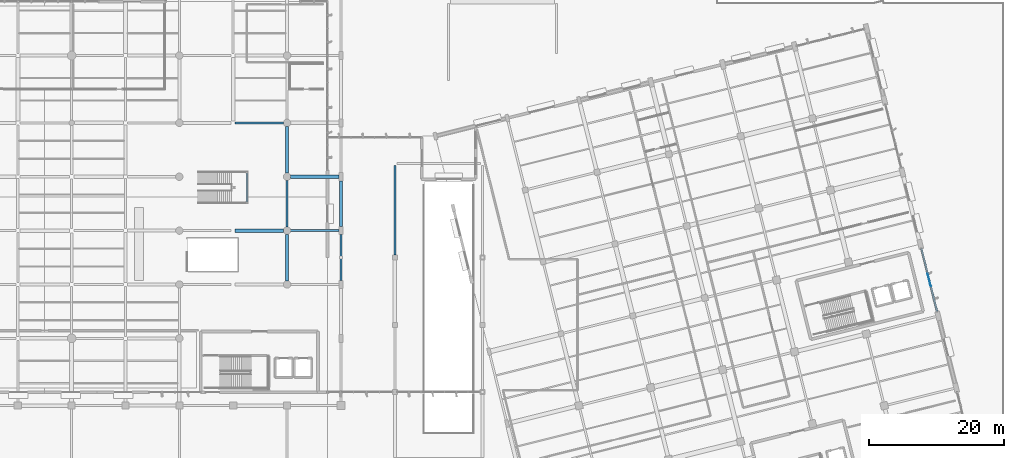
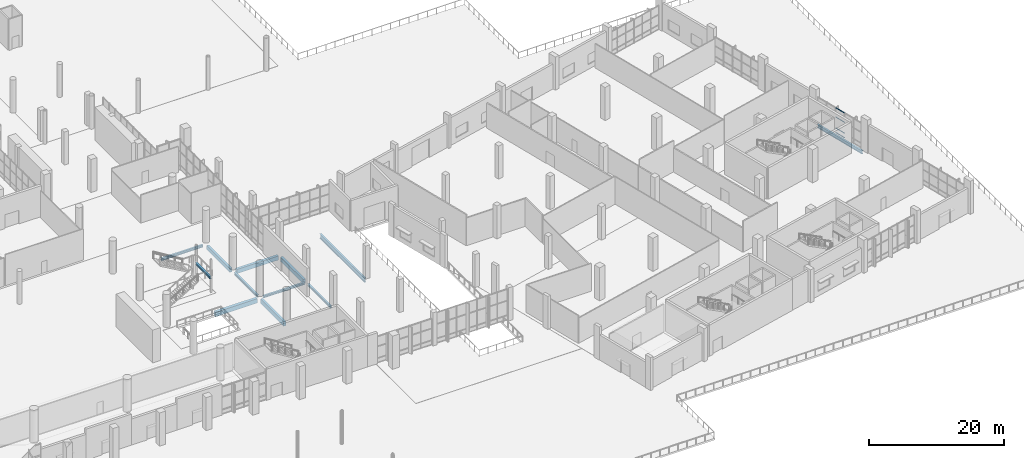
# One storey, part 91 of 163: 12 beams, 4 members, 1 element without a shape of its own.
"""IFC4 building model written with IfcOpenShell, lengths in metres."""

from ifc_helpers import new_model, si_unit, direction, frame, origin, origin_2d, place, context, subcontext, project, spatial, rectangle, hollow_rectangle, i_section, extrude, material, layer, layer_set, material_profile, profile_set, type_object, element, aggregate, save


model = new_model("IFC4")

# Units and contexts
model_context = context("Model", 3, precision=1e-05, world=origin(), true_north=direction((0.0, 1.0)))
body_context = subcontext(model_context, "Body", "Model", "MODEL_VIEW")
ifc_project = project(units=[si_unit("LENGTHUNIT", "METRE"), si_unit("AREAUNIT", "SQUARE_METRE"), si_unit("VOLUMEUNIT", "CUBIC_METRE"), si_unit("PLANEANGLEUNIT", "RADIAN"), si_unit("MASSUNIT", "GRAM", prefix="KILO")], contexts=[model_context])

# Site, building, storey
site_placement = place(None, origin())
site = spatial("IfcSite", under=ifc_project, at=site_placement, CompositionType="ELEMENT")
building_placement = place(site_placement, origin())
building = spatial("IfcBuilding", under=site, at=building_placement, Name="Khorjan Park Terminus", CompositionType="ELEMENT")
storey_placement = place(building_placement, origin())
storey = spatial("IfcBuildingStorey", under=building, at=storey_placement, Name="L00", CompositionType="ELEMENT", Elevation=0.0)

# Beams
ifc_material_1 = material(Name="Steel S355", Category="steel")
ifc_material_profile_1 = material_profile(ifc_material_1, i_section(OverallWidth=0.3, OverallDepth=0.39, WebThickness=0.011, FlangeThickness=0.019, FilletRadius=0.027, at=origin_2d()), Name="HEA 400")
ifc_profile_set_1 = profile_set([ifc_material_profile_1], Name="Steel S355")
beam_type_1 = type_object("IfcBeamType", Name="BM-HEA400", PredefinedType="BEAM", material=ifc_profile_set_1)
beam_1_placement = place(storey_placement, frame((128.545, 52.0, -0.545), z_axis=(1.0, 0.0, 0.0), x_axis=(0.0, 1.0, 0.0)))
element("IfcBeam", 1, at=beam_1_placement, inside=storey, type_object=beam_type_1, Name="Primary floor girder SB-A40 (L00)", PredefinedType="BEAM", context=body_context, shape_type="SweptSolid", body=[
    extrude(i_section(OverallWidth=0.3, OverallDepth=0.39, WebThickness=0.011, FlangeThickness=0.019, FilletRadius=0.027, at=origin_2d()), origin(), (0.0, 0.0, 1.0), 7.16),
])
beam_2_placement = place(storey_placement, frame((122.05, 56.22, 2.605), z_axis=(0.0, 1.0, 0.0), x_axis=(-1.0, 0.0, 0.0)))
element("IfcBeam", 2, at=beam_2_placement, inside=storey, type_object=beam_type_1, Name="Stair CS-04 half-landing support beam SB-A40", PredefinedType="BEAM", context=body_context, shape_type="SweptSolid", body=[
    extrude(i_section(OverallWidth=0.3, OverallDepth=0.39, WebThickness=0.011, FlangeThickness=0.019, FilletRadius=0.027, at=origin_2d()), origin(), (0.0, 0.0, 1.0), 4.36),
])
ifc_material_profile_2 = material_profile(ifc_material_1, i_section(OverallWidth=0.3, OverallDepth=0.44, WebThickness=0.0115, FlangeThickness=0.021, FilletRadius=0.027, at=origin_2d()), Name="HEA 450")
ifc_profile_set_2 = profile_set([ifc_material_profile_2], Name="Steel S355")
beam_type_2 = type_object("IfcBeamType", Name="BM-HEA450", PredefinedType="BEAM", material=ifc_profile_set_2)
beam_3_placement = place(storey_placement, frame((120.295, 68.0, -0.57), z_axis=(1.0, 0.0, 0.0), x_axis=(0.0, 1.0, 0.0)))
element("IfcBeam", 3, at=beam_3_placement, inside=storey, type_object=beam_type_2, Name="Primary floor girder SB-A45 (L00)", PredefinedType="BEAM", context=body_context, shape_type="SweptSolid", body=[
    extrude(i_section(OverallWidth=0.3, OverallDepth=0.44, WebThickness=0.0115, FlangeThickness=0.021, FilletRadius=0.027, at=origin_2d()), origin(), (0.0, 0.0, 1.0), 7.16),
])
ifc_material_profile_3 = material_profile(ifc_material_1, i_section(OverallWidth=0.3, OverallDepth=0.4, WebThickness=0.0135, FlangeThickness=0.024, FilletRadius=0.027, at=origin_2d()), Name="HEB 400")
ifc_profile_set_3 = profile_set([ifc_material_profile_3], Name="Steel S355")
beam_type_3 = type_object("IfcBeamType", Name="BM-HEB400", PredefinedType="BEAM", material=ifc_profile_set_3)
beam_4_placement = place(storey_placement, frame((136.0, 44.595, -0.55), z_axis=(0.0, 1.0, 0.0), x_axis=(-1.0, 0.0, 0.0)))
element("IfcBeam", 4, at=beam_4_placement, inside=storey, type_object=beam_type_3, Name="Primary floor girder SB-B40 (L00)", PredefinedType="BEAM", context=body_context, shape_type="SweptSolid", body=[
    extrude(i_section(OverallWidth=0.3, OverallDepth=0.4, WebThickness=0.0135, FlangeThickness=0.024, FilletRadius=0.027, at=origin_2d()), origin(), (0.0, 0.0, 1.0), 6.81),
])
ifc_material_profile_4 = material_profile(ifc_material_1, i_section(OverallWidth=0.3, OverallDepth=0.45, WebThickness=0.014, FlangeThickness=0.026, FilletRadius=0.027, at=origin_2d()), Name="HEB 450")
ifc_profile_set_4 = profile_set([ifc_material_profile_4], Name="Steel S355")
beam_type_4 = type_object("IfcBeamType", Name="BM-HEB450", PredefinedType="BEAM", material=ifc_profile_set_4)
beam_5_placement = place(storey_placement, frame((128.0, 52.545, -0.575), z_axis=(0.0, 1.0, 0.0), x_axis=(-1.0, 0.0, 0.0)))
element("IfcBeam", 5, at=beam_5_placement, inside=storey, type_object=beam_type_4, Name="Primary floor girder SB-B45 (L00)", PredefinedType="BEAM", context=body_context, shape_type="SweptSolid", body=[
    extrude(i_section(OverallWidth=0.3, OverallDepth=0.45, WebThickness=0.014, FlangeThickness=0.026, FilletRadius=0.027, at=origin_2d()), origin(), (0.0, 0.0, 1.0), 6.91),
])
ifc_material_profile_5 = material_profile(ifc_material_1, i_section(OverallWidth=0.3, OverallDepth=0.6, WebThickness=0.0155, FlangeThickness=0.03, FilletRadius=0.027, at=origin_2d()), Name="HEB 600")
ifc_profile_set_5 = profile_set([ifc_material_profile_5], Name="Steel S355")
beam_type_5 = type_object("IfcBeamType", Name="BM-HEB600", PredefinedType="BEAM", material=ifc_profile_set_5)
beam_6_placement = place(storey_placement, frame((224.5491, 39.9877, -0.66), z_axis=(-0.241925915978, 0.970294723874, 0.0), x_axis=(-0.970294723874, -0.241925915978, 0.0)))
element("IfcBeam", 6, at=beam_6_placement, inside=storey, type_object=beam_type_5, Name="Primary skew-grid floor girder SB-B60 (L00)", PredefinedType="BEAM", context=body_context, shape_type="SweptSolid", body=[
    extrude(i_section(OverallWidth=0.3, OverallDepth=0.6, WebThickness=0.0155, FlangeThickness=0.03, FilletRadius=0.027, at=origin_2d()), origin(), (0.0, 0.0, 1.0), 9.61),
])
ifc_material_profile_6 = material_profile(ifc_material_1, i_section(OverallWidth=0.3, OverallDepth=0.8, WebThickness=0.0175, FlangeThickness=0.033, FilletRadius=0.03, at=origin_2d()), Name="HEB 800")
ifc_profile_set_6 = profile_set([ifc_material_profile_6], Name="Steel S355")
beam_type_6 = type_object("IfcBeamType", Name="BM-HEB800", PredefinedType="BEAM", material=ifc_profile_set_6)
beam_7_placement = place(storey_placement, frame((144.0, 48.37, -0.75), z_axis=(0.0, 1.0, 0.0), x_axis=(-1.0, 0.0, 0.0)))
element("IfcBeam", 7, at=beam_7_placement, inside=storey, type_object=beam_type_6, Name="Primary floor girder SB-B80 (L00)", PredefinedType="BEAM", context=body_context, shape_type="SweptSolid", body=[
    extrude(i_section(OverallWidth=0.3, OverallDepth=0.8, WebThickness=0.0175, FlangeThickness=0.033, FilletRadius=0.03, at=origin_2d()), origin(), (0.0, 0.0, 1.0), 13.335),
])
ifc_material_2 = material(Name="Concrete C40/50", Category="concrete")
ifc_material_profile_7 = material_profile(ifc_material_2, rectangle(XDim=0.4, YDim=0.7, at=origin_2d()), Name="RC 400x700")
ifc_profile_set_7 = profile_set([ifc_material_profile_7], Name="Concrete C40/50")
beam_type_7 = type_object("IfcBeamType", Name="BM-RC400x700", PredefinedType="BEAM", material=ifc_profile_set_7)
beam_8_placement = place(storey_placement, frame((128.0, 60.545, -0.7), z_axis=(0.0, 1.0, 0.0), x_axis=(-1.0, 0.0, 0.0)))
element("IfcBeam", 8, at=beam_8_placement, inside=storey, type_object=beam_type_7, Name="Primary floor girder GB-07 (L00)", PredefinedType="BEAM", context=body_context, shape_type="SweptSolid", body=[
    extrude(rectangle(XDim=0.4, YDim=0.7, at=origin_2d()), origin(), (0.0, 0.0, 1.0), 6.91),
])
ifc_material_profile_8 = material_profile(ifc_material_2, rectangle(XDim=0.4, YDim=0.8, at=origin_2d()), Name="RC 400x800")
ifc_profile_set_8 = profile_set([ifc_material_profile_8], Name="Concrete C40/50")
beam_type_8 = type_object("IfcBeamType", Name="BM-RC400x800", PredefinedType="BEAM", material=ifc_profile_set_8)
beam_9_placement = place(storey_placement, frame((128.0, 44.545, -0.75), z_axis=(0.0, 1.0, 0.0), x_axis=(-1.0, 0.0, 0.0)))
element("IfcBeam", 9, at=beam_9_placement, inside=storey, type_object=beam_type_8, Name="Primary floor girder GB-08B (L00)", PredefinedType="BEAM", context=body_context, shape_type="SweptSolid", body=[
    extrude(rectangle(XDim=0.4, YDim=0.8, at=origin_2d()), origin(), (0.0, 0.0, 1.0), 6.91),
])
beam_10_placement = place(storey_placement, frame((136.0, 52.595, -0.75), z_axis=(0.0, 1.0, 0.0), x_axis=(-1.0, 0.0, 0.0)))
element("IfcBeam", 10, at=beam_10_placement, inside=storey, type_object=beam_type_8, Name="Primary floor girder GB-08B (L00)", PredefinedType="BEAM", context=body_context, shape_type="SweptSolid", body=[
    extrude(rectangle(XDim=0.4, YDim=0.8, at=origin_2d()), origin(), (0.0, 0.0, 1.0), 6.81),
])
ifc_material_profile_9 = material_profile(ifc_material_2, rectangle(XDim=0.45, YDim=0.75, at=origin_2d()), Name="RC 450x750")
ifc_profile_set_9 = profile_set([ifc_material_profile_9], Name="Concrete C40/50")
beam_type_9 = type_object("IfcBeamType", Name="BM-RC450x750", PredefinedType="BEAM", material=ifc_profile_set_9)
beam_11_placement = place(storey_placement, frame((128.545, 60.0, -0.725), z_axis=(1.0, 0.0, 0.0), x_axis=(0.0, 1.0, 0.0)))
element("IfcBeam", 11, at=beam_11_placement, inside=storey, type_object=beam_type_9, Name="Primary floor girder GB-75 (L00)", PredefinedType="BEAM", context=body_context, shape_type="SweptSolid", body=[
    extrude(rectangle(XDim=0.45, YDim=0.75, at=origin_2d()), origin(), (0.0, 0.0, 1.0), 7.16),
])
ifc_material_profile_10 = material_profile(ifc_material_2, rectangle(XDim=0.5, YDim=0.8, at=origin_2d()), Name="RC 500x800")
ifc_profile_set_10 = profile_set([ifc_material_profile_10], Name="Concrete C40/50")
beam_type_10 = type_object("IfcBeamType", Name="BM-RC500x800", PredefinedType="BEAM", material=ifc_profile_set_10)
beam_12_placement = place(storey_placement, frame((120.295, 52.0, -0.75), z_axis=(1.0, 0.0, 0.0), x_axis=(0.0, 1.0, 0.0)))
element("IfcBeam", 12, at=beam_12_placement, inside=storey, type_object=beam_type_10, Name="Primary floor girder GB-08 (L00)", PredefinedType="BEAM", context=body_context, shape_type="SweptSolid", body=[
    extrude(rectangle(XDim=0.5, YDim=0.8, at=origin_2d()), origin(), (0.0, 0.0, 1.0), 7.16),
])

# Curtain wall, members
ifc_material_3 = material(Name="Anodized Bronze Aluminium", Category="aluminium")
ifc_layer = layer(ifc_material_3, 0.22)
ifc_layer_set = layer_set([ifc_layer], Name="Anodized Bronze Aluminium")
curtain_wall_type = type_object("IfcCurtainWallType", Name="CW-OPS-B", PredefinedType="NOTDEFINED", material=ifc_layer_set)
curtain_wall_placement = place(storey_placement, origin())
curtain_wall = element("IfcCurtainWall", 13, at=curtain_wall_placement, inside=storey, type_object=curtain_wall_type, Name="Unitized curtain wall CW-B (CW-V5-E-L00-B03)", PredefinedType="NOTDEFINED")
ifc_material_profile_11 = material_profile(ifc_material_3, hollow_rectangle(XDim=0.07, YDim=0.16, WallThickness=0.004, InnerFilletRadius=0.004, OuterFilletRadius=0.008, at=origin_2d()), Name="ALT 70x160x4")
ifc_profile_set_11 = profile_set([ifc_material_profile_11], Name="Anodized Bronze Aluminium")
member_type = type_object("IfcMemberType", Name="TR-ALT-160", PredefinedType="USERDEFINED", material=ifc_profile_set_11)
member_1_placement = place(storey_placement, frame((223.6199, 43.7146, 0.04), z_axis=(-0.241937637138, 0.970291801334, 0.0), x_axis=(-0.970291801334, -0.241937637138, 0.0)))
member_1 = element("IfcMember", 14, at=member_1_placement, type_object=member_type, Name="Curtain-wall transom TR-16 (CW-V5-E-L00-B03-2-1)", ObjectType="TRANSOM", PredefinedType="USERDEFINED", context=body_context, shape_type="SweptSolid", body=[
    extrude(hollow_rectangle(XDim=0.07, YDim=0.16, WallThickness=0.004, InnerFilletRadius=0.004, OuterFilletRadius=0.008, at=origin_2d()), origin(), (0.0, 0.0, 1.0), 1.9282),
])
member_2_placement = place(storey_placement, frame((223.6199, 43.7146, 0.85), z_axis=(-0.241937637138, 0.970291801334, 0.0), x_axis=(-0.970291801334, -0.241937637138, 0.0)))
member_2 = element("IfcMember", 15, at=member_2_placement, type_object=member_type, Name="Curtain-wall transom TR-16 (CW-V5-E-L00-B03-2-2)", ObjectType="TRANSOM", PredefinedType="USERDEFINED", context=body_context, shape_type="SweptSolid", body=[
    extrude(hollow_rectangle(XDim=0.07, YDim=0.16, WallThickness=0.004, InnerFilletRadius=0.004, OuterFilletRadius=0.008, at=origin_2d()), origin(), (0.0, 0.0, 1.0), 1.9282),
])
member_3_placement = place(storey_placement, frame((223.6199, 43.7146, 2.8303), z_axis=(-0.241937637138, 0.970291801334, 0.0), x_axis=(-0.970291801334, -0.241937637138, 0.0)))
member_3 = element("IfcMember", 16, at=member_3_placement, type_object=member_type, Name="Curtain-wall transom TR-16 (CW-V5-E-L00-B03-2-3)", ObjectType="TRANSOM", PredefinedType="USERDEFINED", context=body_context, shape_type="SweptSolid", body=[
    extrude(hollow_rectangle(XDim=0.07, YDim=0.16, WallThickness=0.004, InnerFilletRadius=0.004, OuterFilletRadius=0.008, at=origin_2d()), origin(), (0.0, 0.0, 1.0), 1.9282),
])
member_4_placement = place(storey_placement, frame((223.6199, 43.7146, 4.525), z_axis=(-0.241937637138, 0.970291801334, 0.0), x_axis=(-0.970291801334, -0.241937637138, 0.0)))
member_4 = element("IfcMember", 17, at=member_4_placement, type_object=member_type, Name="Curtain-wall transom TR-16 (CW-V5-E-L00-B03-2-4)", ObjectType="TRANSOM", PredefinedType="USERDEFINED", context=body_context, shape_type="SweptSolid", body=[
    extrude(hollow_rectangle(XDim=0.07, YDim=0.16, WallThickness=0.004, InnerFilletRadius=0.004, OuterFilletRadius=0.008, at=origin_2d()), origin(), (0.0, 0.0, 1.0), 1.9282),
])
aggregate(curtain_wall, [member_1, member_2, member_3, member_4])

save(model, "model.ifc")
